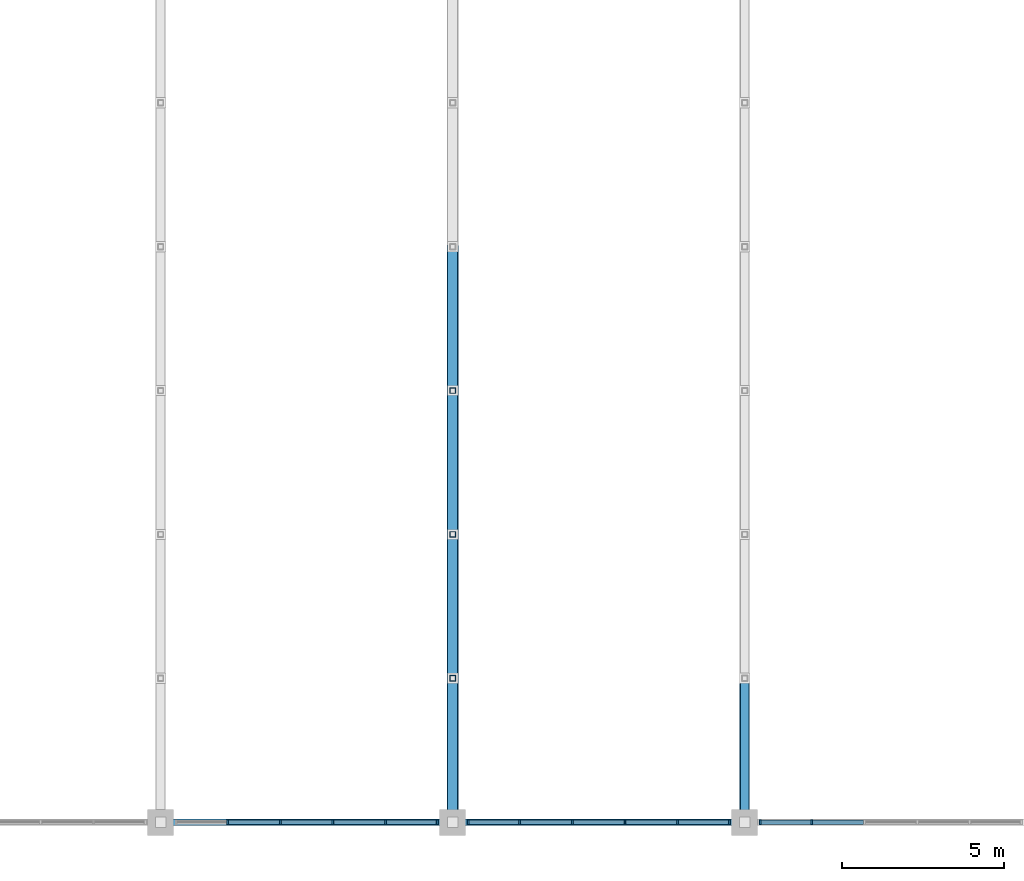
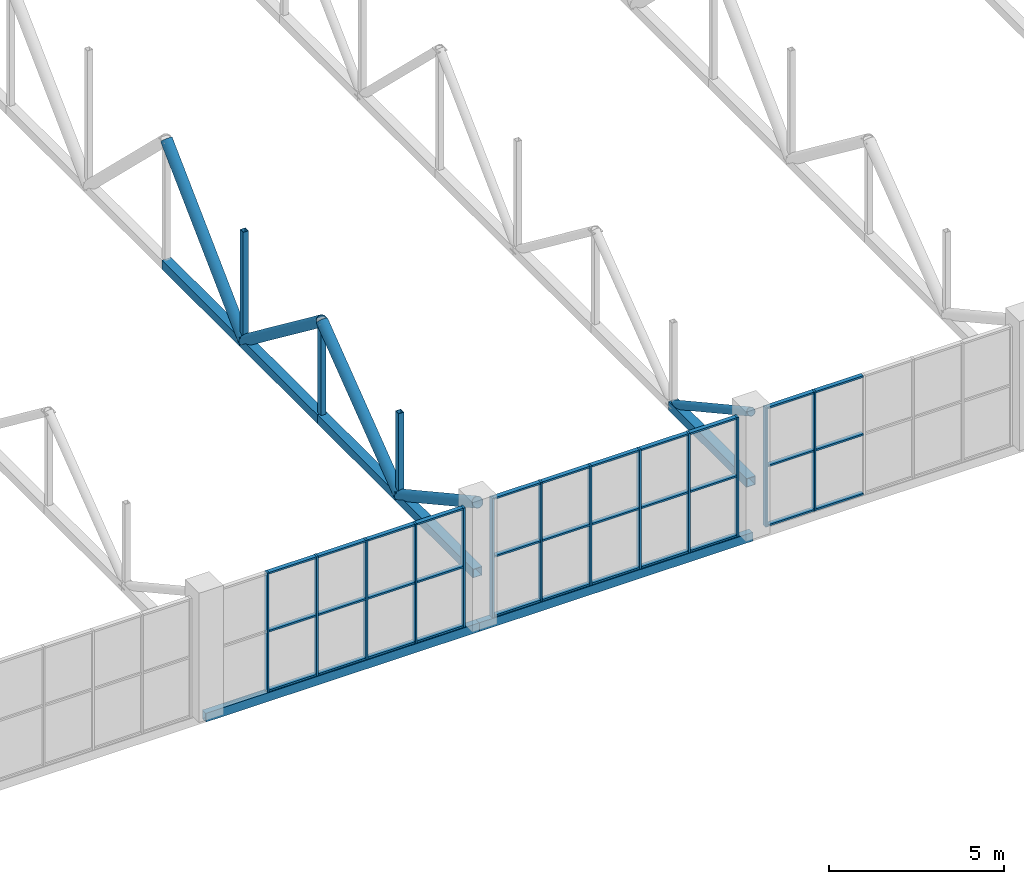
# One storey, part 50 of 103: 59 members, 2 beams, 3 elements without a shape of their own.
"""IFC4 building model written with IfcOpenShell, lengths in metres."""

from ifc_helpers import new_model, si_unit, direction, frame, origin, origin_2d, place, context, subcontext, project, spatial, rectangle, hollow_rectangle, hollow_circle, extrude, material, layer, layer_set, material_profile, profile_set, type_object, element, aggregate, save


model = new_model("IFC4")

# Units and contexts
model_context = context("Model", 3, precision=1e-05, world=origin(), true_north=direction((0.0, 1.0)))
body_context = subcontext(model_context, "Body", "Model", "MODEL_VIEW")
ifc_project = project(units=[si_unit("LENGTHUNIT", "METRE"), si_unit("AREAUNIT", "SQUARE_METRE"), si_unit("VOLUMEUNIT", "CUBIC_METRE"), si_unit("PLANEANGLEUNIT", "RADIAN"), si_unit("MASSUNIT", "GRAM", prefix="KILO")], contexts=[model_context])

# Site, building, storey
site_placement = place(None, origin())
site = spatial("IfcSite", under=ifc_project, at=site_placement, CompositionType="ELEMENT")
building_placement = place(site_placement, origin())
building = spatial("IfcBuilding", under=site, at=building_placement, Name="Cazmaro Siding Exhibition Halls", CompositionType="ELEMENT")
storey_placement = place(building_placement, frame((0.0, 0.0, 16.5)))
storey = spatial("IfcBuildingStorey", under=building, at=storey_placement, Name="L03", CompositionType="ELEMENT", Elevation=16.5)

# Curtain wall, members
ifc_material_1 = material(Name="Anodized Bronze Aluminum and Solar-Control Low-E Glazing", Category="aluminium")
ifc_layer = layer(ifc_material_1, 0.159912109375)
ifc_layer_set = layer_set([ifc_layer], Name="Anodized Bronze Aluminum and Solar-Control Low-E Glazing")
curtain_wall_type = type_object("IfcCurtainWallType", Name="CWS-04", PredefinedType="USERDEFINED", material=ifc_layer_set)
curtain_wall_1_placement = place(storey_placement, origin())
curtain_wall_1 = element("IfcCurtainWall", 1, at=curtain_wall_1_placement, inside=storey, type_object=curtain_wall_type, Name="Clerestory Curtain Wall CWS-04 CW-092", ObjectType="CLERESTORY CURTAIN WALL", PredefinedType="USERDEFINED")
ifc_material_2 = material(Name="Anodized Bronze Extruded Aluminum", Category="aluminium")
ifc_material_profile_1 = material_profile(ifc_material_2, rectangle(XDim=0.159912109375, YDim=0.06005859375, at=origin_2d()), Name="CWM-04")
ifc_profile_set_1 = profile_set([ifc_material_profile_1], Name="Anodized Bronze Extruded Aluminum")
member_type_1 = type_object("IfcMemberType", Name="CWM-04", PredefinedType="MULLION", material=ifc_profile_set_1)
member_1_placement = place(storey_placement, frame((128.06689453125, 9.25, 0.0), z_axis=(0.0, 0.0, 1.0), x_axis=(0.0, 1.0, 0.0)))
member_1 = element("IfcMember", 2, at=member_1_placement, type_object=member_type_1, Name="CWS-04 mullion 2", PredefinedType="MULLION", context=body_context, shape_type="SweptSolid", body=[
    extrude(rectangle(XDim=0.159912109375, YDim=0.06005859375, at=origin_2d()), origin(), (0.0, 0.0, 1.0), 4.14990234375),
])
member_2_placement = place(storey_placement, frame((129.68896484375, 9.25, 0.0), z_axis=(0.0, 0.0, 1.0), x_axis=(0.0, 1.0, 0.0)))
member_2 = element("IfcMember", 3, at=member_2_placement, type_object=member_type_1, Name="CWS-04 mullion 3", PredefinedType="MULLION", context=body_context, shape_type="SweptSolid", body=[
    extrude(rectangle(XDim=0.159912109375, YDim=0.06005859375, at=origin_2d()), origin(), (0.0, 0.0, 1.0), 4.14990234375),
])
member_3_placement = place(storey_placement, frame((131.31103515625, 9.25, 0.0), z_axis=(0.0, 0.0, 1.0), x_axis=(0.0, 1.0, 0.0)))
member_3 = element("IfcMember", 4, at=member_3_placement, type_object=member_type_1, Name="CWS-04 mullion 4", PredefinedType="MULLION", context=body_context, shape_type="SweptSolid", body=[
    extrude(rectangle(XDim=0.159912109375, YDim=0.06005859375, at=origin_2d()), origin(), (0.0, 0.0, 1.0), 4.14990234375),
])
member_4_placement = place(storey_placement, frame((132.93310546875, 9.25, 0.0), z_axis=(0.0, 0.0, 1.0), x_axis=(0.0, 1.0, 0.0)))
member_4 = element("IfcMember", 5, at=member_4_placement, type_object=member_type_1, Name="CWS-04 mullion 5", PredefinedType="MULLION", context=body_context, shape_type="SweptSolid", body=[
    extrude(rectangle(XDim=0.159912109375, YDim=0.06005859375, at=origin_2d()), origin(), (0.0, 0.0, 1.0), 4.14990234375),
])
member_5_placement = place(storey_placement, frame((134.52490234375, 9.25, 0.0), z_axis=(0.0, 0.0, 1.0), x_axis=(0.0, 1.0, 0.0)))
member_5 = element("IfcMember", 6, at=member_5_placement, type_object=member_type_1, Name="CWS-04 mullion 6", PredefinedType="MULLION", context=body_context, shape_type="SweptSolid", body=[
    extrude(rectangle(XDim=0.159912109375, YDim=0.06005859375, at=origin_2d()), origin(), (0.0, 0.0, 1.0), 4.14990234375),
])

curtain_wall_2_placement = place(storey_placement, origin())
curtain_wall_2 = element("IfcCurtainWall", 7, at=curtain_wall_2_placement, inside=storey, type_object=curtain_wall_type, Name="Clerestory Curtain Wall CWS-04 CW-094", ObjectType="CLERESTORY CURTAIN WALL", PredefinedType="USERDEFINED")
member_6_placement = place(storey_placement, frame((135.47509765625, 9.25, 0.0), z_axis=(0.0, 0.0, 1.0), x_axis=(0.0, 1.0, 0.0)))
member_6 = element("IfcMember", 8, at=member_6_placement, type_object=member_type_1, Name="CWS-04 mullion 1", PredefinedType="MULLION", context=body_context, shape_type="SweptSolid", body=[
    extrude(rectangle(XDim=0.159912109375, YDim=0.06005859375, at=origin_2d()), origin(), (0.0, 0.0, 1.0), 4.14990234375),
])
member_7_placement = place(storey_placement, frame((137.06689453125, 9.25, 0.0), z_axis=(0.0, 0.0, 1.0), x_axis=(0.0, 1.0, 0.0)))
member_7 = element("IfcMember", 9, at=member_7_placement, type_object=member_type_1, Name="CWS-04 mullion 2", PredefinedType="MULLION", context=body_context, shape_type="SweptSolid", body=[
    extrude(rectangle(XDim=0.159912109375, YDim=0.06005859375, at=origin_2d()), origin(), (0.0, 0.0, 1.0), 4.14990234375),
])
member_8_placement = place(storey_placement, frame((138.68896484375, 9.25, 0.0), z_axis=(0.0, 0.0, 1.0), x_axis=(0.0, 1.0, 0.0)))
member_8 = element("IfcMember", 10, at=member_8_placement, type_object=member_type_1, Name="CWS-04 mullion 3", PredefinedType="MULLION", context=body_context, shape_type="SweptSolid", body=[
    extrude(rectangle(XDim=0.159912109375, YDim=0.06005859375, at=origin_2d()), origin(), (0.0, 0.0, 1.0), 4.14990234375),
])
member_9_placement = place(storey_placement, frame((140.31103515625, 9.25, 0.0), z_axis=(0.0, 0.0, 1.0), x_axis=(0.0, 1.0, 0.0)))
member_9 = element("IfcMember", 11, at=member_9_placement, type_object=member_type_1, Name="CWS-04 mullion 4", PredefinedType="MULLION", context=body_context, shape_type="SweptSolid", body=[
    extrude(rectangle(XDim=0.159912109375, YDim=0.06005859375, at=origin_2d()), origin(), (0.0, 0.0, 1.0), 4.14990234375),
])
member_10_placement = place(storey_placement, frame((141.93310546875, 9.25, 0.0), z_axis=(0.0, 0.0, 1.0), x_axis=(0.0, 1.0, 0.0)))
member_10 = element("IfcMember", 12, at=member_10_placement, type_object=member_type_1, Name="CWS-04 mullion 5", PredefinedType="MULLION", context=body_context, shape_type="SweptSolid", body=[
    extrude(rectangle(XDim=0.159912109375, YDim=0.06005859375, at=origin_2d()), origin(), (0.0, 0.0, 1.0), 4.14990234375),
])
member_11_placement = place(storey_placement, frame((143.52490234375, 9.25, 0.0), z_axis=(0.0, 0.0, 1.0), x_axis=(0.0, 1.0, 0.0)))
member_11 = element("IfcMember", 13, at=member_11_placement, type_object=member_type_1, Name="CWS-04 mullion 6", PredefinedType="MULLION", context=body_context, shape_type="SweptSolid", body=[
    extrude(rectangle(XDim=0.159912109375, YDim=0.06005859375, at=origin_2d()), origin(), (0.0, 0.0, 1.0), 4.14990234375),
])

curtain_wall_3_placement = place(storey_placement, origin())
curtain_wall_3 = element("IfcCurtainWall", 14, at=curtain_wall_3_placement, inside=storey, type_object=curtain_wall_type, Name="Clerestory Curtain Wall CWS-04 CW-096", ObjectType="CLERESTORY CURTAIN WALL", PredefinedType="USERDEFINED")
member_12_placement = place(storey_placement, frame((144.47509765625, 9.25, 0.0), z_axis=(0.0, 0.0, 1.0), x_axis=(0.0, 1.0, 0.0)))
member_12 = element("IfcMember", 15, at=member_12_placement, type_object=member_type_1, Name="CWS-04 mullion 1", PredefinedType="MULLION", context=body_context, shape_type="SweptSolid", body=[
    extrude(rectangle(XDim=0.159912109375, YDim=0.06005859375, at=origin_2d()), origin(), (0.0, 0.0, 1.0), 4.14990234375),
])
member_13_placement = place(storey_placement, frame((146.06689453125, 9.25, 0.0), z_axis=(0.0, 0.0, 1.0), x_axis=(0.0, 1.0, 0.0)))
member_13 = element("IfcMember", 16, at=member_13_placement, type_object=member_type_1, Name="CWS-04 mullion 2", PredefinedType="MULLION", context=body_context, shape_type="SweptSolid", body=[
    extrude(rectangle(XDim=0.159912109375, YDim=0.06005859375, at=origin_2d()), origin(), (0.0, 0.0, 1.0), 4.14990234375),
])

# Member
ifc_material_3 = material(Name="Anodized Bronze Extruded Aluminum", Category="aluminium")
ifc_material_profile_2 = material_profile(ifc_material_3, rectangle(XDim=0.139892578125, YDim=0.06005859375, at=origin_2d()), Name="CWT-04")
ifc_profile_set_2 = profile_set([ifc_material_profile_2], Name="Anodized Bronze Extruded Aluminum")
member_type_2 = type_object("IfcMemberType", Name="CWT-04", PredefinedType="MULLION", material=ifc_profile_set_2)
member_14_placement = place(storey_placement, frame((128.096923828125, 9.25, 0.030029296875), z_axis=(1.0, 0.0, 0.0), x_axis=(0.0, 1.0, 0.0)))
member_14 = element("IfcMember", 17, at=member_14_placement, type_object=member_type_2, Name="CWS-04 transom 2.1", ObjectType="TRANSOM", PredefinedType="USERDEFINED", context=body_context, shape_type="SweptSolid", body=[
    extrude(rectangle(XDim=0.139892578125, YDim=0.06005859375, at=origin_2d()), origin(), (0.0, 0.0, 1.0), 1.56201171875),
])

member_15_placement = place(storey_placement, frame((128.096923828125, 9.25, 2.10009765625), z_axis=(1.0, 0.0, 0.0), x_axis=(0.0, 1.0, 0.0)))
member_15 = element("IfcMember", 18, at=member_15_placement, type_object=member_type_2, Name="CWS-04 transom 2.2", ObjectType="TRANSOM", PredefinedType="USERDEFINED", context=body_context, shape_type="SweptSolid", body=[
    extrude(rectangle(XDim=0.139892578125, YDim=0.06005859375, at=origin_2d()), origin(), (0.0, 0.0, 1.0), 1.56201171875),
])

member_16_placement = place(storey_placement, frame((128.096923828125, 9.25, 4.1201171875), z_axis=(1.0, 0.0, 0.0), x_axis=(0.0, 1.0, 0.0)))
member_16 = element("IfcMember", 19, at=member_16_placement, type_object=member_type_2, Name="CWS-04 transom 2.3", ObjectType="TRANSOM", PredefinedType="USERDEFINED", context=body_context, shape_type="SweptSolid", body=[
    extrude(rectangle(XDim=0.139892578125, YDim=0.06005859375, at=origin_2d()), origin(), (0.0, 0.0, 1.0), 1.56201171875),
])

member_17_placement = place(storey_placement, frame((129.718994140625, 9.25, 0.030029296875), z_axis=(1.0, 0.0, 0.0), x_axis=(0.0, 1.0, 0.0)))
member_17 = element("IfcMember", 20, at=member_17_placement, type_object=member_type_2, Name="CWS-04 transom 3.1", ObjectType="TRANSOM", PredefinedType="USERDEFINED", context=body_context, shape_type="SweptSolid", body=[
    extrude(rectangle(XDim=0.139892578125, YDim=0.06005859375, at=origin_2d()), origin(), (0.0, 0.0, 1.0), 1.56201171875),
])

member_18_placement = place(storey_placement, frame((129.718994140625, 9.25, 2.10009765625), z_axis=(1.0, 0.0, 0.0), x_axis=(0.0, 1.0, 0.0)))
member_18 = element("IfcMember", 21, at=member_18_placement, type_object=member_type_2, Name="CWS-04 transom 3.2", ObjectType="TRANSOM", PredefinedType="USERDEFINED", context=body_context, shape_type="SweptSolid", body=[
    extrude(rectangle(XDim=0.139892578125, YDim=0.06005859375, at=origin_2d()), origin(), (0.0, 0.0, 1.0), 1.56201171875),
])

member_19_placement = place(storey_placement, frame((129.718994140625, 9.25, 4.1201171875), z_axis=(1.0, 0.0, 0.0), x_axis=(0.0, 1.0, 0.0)))
member_19 = element("IfcMember", 22, at=member_19_placement, type_object=member_type_2, Name="CWS-04 transom 3.3", ObjectType="TRANSOM", PredefinedType="USERDEFINED", context=body_context, shape_type="SweptSolid", body=[
    extrude(rectangle(XDim=0.139892578125, YDim=0.06005859375, at=origin_2d()), origin(), (0.0, 0.0, 1.0), 1.56201171875),
])

member_20_placement = place(storey_placement, frame((131.341064453125, 9.25, 0.030029296875), z_axis=(1.0, 0.0, 0.0), x_axis=(0.0, 1.0, 0.0)))
member_20 = element("IfcMember", 23, at=member_20_placement, type_object=member_type_2, Name="CWS-04 transom 4.1", ObjectType="TRANSOM", PredefinedType="USERDEFINED", context=body_context, shape_type="SweptSolid", body=[
    extrude(rectangle(XDim=0.139892578125, YDim=0.06005859375, at=origin_2d()), origin(), (0.0, 0.0, 1.0), 1.56201171875),
])

member_21_placement = place(storey_placement, frame((131.341064453125, 9.25, 2.10009765625), z_axis=(1.0, 0.0, 0.0), x_axis=(0.0, 1.0, 0.0)))
member_21 = element("IfcMember", 24, at=member_21_placement, type_object=member_type_2, Name="CWS-04 transom 4.2", ObjectType="TRANSOM", PredefinedType="USERDEFINED", context=body_context, shape_type="SweptSolid", body=[
    extrude(rectangle(XDim=0.139892578125, YDim=0.06005859375, at=origin_2d()), origin(), (0.0, 0.0, 1.0), 1.56201171875),
])

member_22_placement = place(storey_placement, frame((131.341064453125, 9.25, 4.1201171875), z_axis=(1.0, 0.0, 0.0), x_axis=(0.0, 1.0, 0.0)))
member_22 = element("IfcMember", 25, at=member_22_placement, type_object=member_type_2, Name="CWS-04 transom 4.3", ObjectType="TRANSOM", PredefinedType="USERDEFINED", context=body_context, shape_type="SweptSolid", body=[
    extrude(rectangle(XDim=0.139892578125, YDim=0.06005859375, at=origin_2d()), origin(), (0.0, 0.0, 1.0), 1.56201171875),
])

member_23_placement = place(storey_placement, frame((132.962890625, 9.25, 0.030029296875), z_axis=(1.0, 0.0, 0.0), x_axis=(0.0, 1.0, 0.0)))
member_23 = element("IfcMember", 26, at=member_23_placement, type_object=member_type_2, Name="CWS-04 transom 5.1", ObjectType="TRANSOM", PredefinedType="USERDEFINED", context=body_context, shape_type="SweptSolid", body=[
    extrude(rectangle(XDim=0.139892578125, YDim=0.06005859375, at=origin_2d()), origin(), (0.0, 0.0, 1.0), 1.5322265625),
])

member_24_placement = place(storey_placement, frame((132.962890625, 9.25, 2.10009765625), z_axis=(1.0, 0.0, 0.0), x_axis=(0.0, 1.0, 0.0)))
member_24 = element("IfcMember", 27, at=member_24_placement, type_object=member_type_2, Name="CWS-04 transom 5.2", ObjectType="TRANSOM", PredefinedType="USERDEFINED", context=body_context, shape_type="SweptSolid", body=[
    extrude(rectangle(XDim=0.139892578125, YDim=0.06005859375, at=origin_2d()), origin(), (0.0, 0.0, 1.0), 1.5322265625),
])

member_25_placement = place(storey_placement, frame((132.962890625, 9.25, 4.1201171875), z_axis=(1.0, 0.0, 0.0), x_axis=(0.0, 1.0, 0.0)))
member_25 = element("IfcMember", 28, at=member_25_placement, type_object=member_type_2, Name="CWS-04 transom 5.3", ObjectType="TRANSOM", PredefinedType="USERDEFINED", context=body_context, shape_type="SweptSolid", body=[
    extrude(rectangle(XDim=0.139892578125, YDim=0.06005859375, at=origin_2d()), origin(), (0.0, 0.0, 1.0), 1.5322265625),
])

aggregate(curtain_wall_1, [member_1, member_2, member_3, member_4, member_5, member_14, member_15, member_16, member_17, member_18, member_19, member_20, member_21, member_22, member_23, member_24, member_25])

member_26_placement = place(storey_placement, frame((135.5048828125, 9.25, 0.030029296875), z_axis=(1.0, 0.0, 0.0), x_axis=(0.0, 1.0, 0.0)))
member_26 = element("IfcMember", 29, at=member_26_placement, type_object=member_type_2, Name="CWS-04 transom 1.1", ObjectType="TRANSOM", PredefinedType="USERDEFINED", context=body_context, shape_type="SweptSolid", body=[
    extrude(rectangle(XDim=0.139892578125, YDim=0.06005859375, at=origin_2d()), origin(), (0.0, 0.0, 1.0), 1.5322265625),
])

member_27_placement = place(storey_placement, frame((135.5048828125, 9.25, 2.10009765625), z_axis=(1.0, 0.0, 0.0), x_axis=(0.0, 1.0, 0.0)))
member_27 = element("IfcMember", 30, at=member_27_placement, type_object=member_type_2, Name="CWS-04 transom 1.2", ObjectType="TRANSOM", PredefinedType="USERDEFINED", context=body_context, shape_type="SweptSolid", body=[
    extrude(rectangle(XDim=0.139892578125, YDim=0.06005859375, at=origin_2d()), origin(), (0.0, 0.0, 1.0), 1.5322265625),
])

member_28_placement = place(storey_placement, frame((135.5048828125, 9.25, 4.1201171875), z_axis=(1.0, 0.0, 0.0), x_axis=(0.0, 1.0, 0.0)))
member_28 = element("IfcMember", 31, at=member_28_placement, type_object=member_type_2, Name="CWS-04 transom 1.3", ObjectType="TRANSOM", PredefinedType="USERDEFINED", context=body_context, shape_type="SweptSolid", body=[
    extrude(rectangle(XDim=0.139892578125, YDim=0.06005859375, at=origin_2d()), origin(), (0.0, 0.0, 1.0), 1.5322265625),
])

member_29_placement = place(storey_placement, frame((137.096923828125, 9.25, 0.030029296875), z_axis=(1.0, 0.0, 0.0), x_axis=(0.0, 1.0, 0.0)))
member_29 = element("IfcMember", 32, at=member_29_placement, type_object=member_type_2, Name="CWS-04 transom 2.1", ObjectType="TRANSOM", PredefinedType="USERDEFINED", context=body_context, shape_type="SweptSolid", body=[
    extrude(rectangle(XDim=0.139892578125, YDim=0.06005859375, at=origin_2d()), origin(), (0.0, 0.0, 1.0), 1.56201171875),
])

member_30_placement = place(storey_placement, frame((137.096923828125, 9.25, 2.10009765625), z_axis=(1.0, 0.0, 0.0), x_axis=(0.0, 1.0, 0.0)))
member_30 = element("IfcMember", 33, at=member_30_placement, type_object=member_type_2, Name="CWS-04 transom 2.2", ObjectType="TRANSOM", PredefinedType="USERDEFINED", context=body_context, shape_type="SweptSolid", body=[
    extrude(rectangle(XDim=0.139892578125, YDim=0.06005859375, at=origin_2d()), origin(), (0.0, 0.0, 1.0), 1.56201171875),
])

member_31_placement = place(storey_placement, frame((137.096923828125, 9.25, 4.1201171875), z_axis=(1.0, 0.0, 0.0), x_axis=(0.0, 1.0, 0.0)))
member_31 = element("IfcMember", 34, at=member_31_placement, type_object=member_type_2, Name="CWS-04 transom 2.3", ObjectType="TRANSOM", PredefinedType="USERDEFINED", context=body_context, shape_type="SweptSolid", body=[
    extrude(rectangle(XDim=0.139892578125, YDim=0.06005859375, at=origin_2d()), origin(), (0.0, 0.0, 1.0), 1.56201171875),
])

member_32_placement = place(storey_placement, frame((138.718994140625, 9.25, 0.030029296875), z_axis=(1.0, 0.0, 0.0), x_axis=(0.0, 1.0, 0.0)))
member_32 = element("IfcMember", 35, at=member_32_placement, type_object=member_type_2, Name="CWS-04 transom 3.1", ObjectType="TRANSOM", PredefinedType="USERDEFINED", context=body_context, shape_type="SweptSolid", body=[
    extrude(rectangle(XDim=0.139892578125, YDim=0.06005859375, at=origin_2d()), origin(), (0.0, 0.0, 1.0), 1.56201171875),
])

member_33_placement = place(storey_placement, frame((138.718994140625, 9.25, 2.10009765625), z_axis=(1.0, 0.0, 0.0), x_axis=(0.0, 1.0, 0.0)))
member_33 = element("IfcMember", 36, at=member_33_placement, type_object=member_type_2, Name="CWS-04 transom 3.2", ObjectType="TRANSOM", PredefinedType="USERDEFINED", context=body_context, shape_type="SweptSolid", body=[
    extrude(rectangle(XDim=0.139892578125, YDim=0.06005859375, at=origin_2d()), origin(), (0.0, 0.0, 1.0), 1.56201171875),
])

member_34_placement = place(storey_placement, frame((138.718994140625, 9.25, 4.1201171875), z_axis=(1.0, 0.0, 0.0), x_axis=(0.0, 1.0, 0.0)))
member_34 = element("IfcMember", 37, at=member_34_placement, type_object=member_type_2, Name="CWS-04 transom 3.3", ObjectType="TRANSOM", PredefinedType="USERDEFINED", context=body_context, shape_type="SweptSolid", body=[
    extrude(rectangle(XDim=0.139892578125, YDim=0.06005859375, at=origin_2d()), origin(), (0.0, 0.0, 1.0), 1.56201171875),
])

member_35_placement = place(storey_placement, frame((140.341064453125, 9.25, 0.030029296875), z_axis=(1.0, 0.0, 0.0), x_axis=(0.0, 1.0, 0.0)))
member_35 = element("IfcMember", 38, at=member_35_placement, type_object=member_type_2, Name="CWS-04 transom 4.1", ObjectType="TRANSOM", PredefinedType="USERDEFINED", context=body_context, shape_type="SweptSolid", body=[
    extrude(rectangle(XDim=0.139892578125, YDim=0.06005859375, at=origin_2d()), origin(), (0.0, 0.0, 1.0), 1.56201171875),
])

member_36_placement = place(storey_placement, frame((140.341064453125, 9.25, 2.10009765625), z_axis=(1.0, 0.0, 0.0), x_axis=(0.0, 1.0, 0.0)))
member_36 = element("IfcMember", 39, at=member_36_placement, type_object=member_type_2, Name="CWS-04 transom 4.2", ObjectType="TRANSOM", PredefinedType="USERDEFINED", context=body_context, shape_type="SweptSolid", body=[
    extrude(rectangle(XDim=0.139892578125, YDim=0.06005859375, at=origin_2d()), origin(), (0.0, 0.0, 1.0), 1.56201171875),
])

member_37_placement = place(storey_placement, frame((140.341064453125, 9.25, 4.1201171875), z_axis=(1.0, 0.0, 0.0), x_axis=(0.0, 1.0, 0.0)))
member_37 = element("IfcMember", 40, at=member_37_placement, type_object=member_type_2, Name="CWS-04 transom 4.3", ObjectType="TRANSOM", PredefinedType="USERDEFINED", context=body_context, shape_type="SweptSolid", body=[
    extrude(rectangle(XDim=0.139892578125, YDim=0.06005859375, at=origin_2d()), origin(), (0.0, 0.0, 1.0), 1.56201171875),
])

member_38_placement = place(storey_placement, frame((141.962890625, 9.25, 0.030029296875), z_axis=(1.0, 0.0, 0.0), x_axis=(0.0, 1.0, 0.0)))
member_38 = element("IfcMember", 41, at=member_38_placement, type_object=member_type_2, Name="CWS-04 transom 5.1", ObjectType="TRANSOM", PredefinedType="USERDEFINED", context=body_context, shape_type="SweptSolid", body=[
    extrude(rectangle(XDim=0.139892578125, YDim=0.06005859375, at=origin_2d()), origin(), (0.0, 0.0, 1.0), 1.5322265625),
])

member_39_placement = place(storey_placement, frame((141.962890625, 9.25, 2.10009765625), z_axis=(1.0, 0.0, 0.0), x_axis=(0.0, 1.0, 0.0)))
member_39 = element("IfcMember", 42, at=member_39_placement, type_object=member_type_2, Name="CWS-04 transom 5.2", ObjectType="TRANSOM", PredefinedType="USERDEFINED", context=body_context, shape_type="SweptSolid", body=[
    extrude(rectangle(XDim=0.139892578125, YDim=0.06005859375, at=origin_2d()), origin(), (0.0, 0.0, 1.0), 1.5322265625),
])

member_40_placement = place(storey_placement, frame((141.962890625, 9.25, 4.1201171875), z_axis=(1.0, 0.0, 0.0), x_axis=(0.0, 1.0, 0.0)))
member_40 = element("IfcMember", 43, at=member_40_placement, type_object=member_type_2, Name="CWS-04 transom 5.3", ObjectType="TRANSOM", PredefinedType="USERDEFINED", context=body_context, shape_type="SweptSolid", body=[
    extrude(rectangle(XDim=0.139892578125, YDim=0.06005859375, at=origin_2d()), origin(), (0.0, 0.0, 1.0), 1.5322265625),
])

aggregate(curtain_wall_2, [member_6, member_7, member_8, member_9, member_10, member_11, member_26, member_27, member_28, member_29, member_30, member_31, member_32, member_33, member_34, member_35, member_36, member_37, member_38, member_39, member_40])

member_41_placement = place(storey_placement, frame((144.5048828125, 9.25, 0.030029296875), z_axis=(1.0, 0.0, 0.0), x_axis=(0.0, 1.0, 0.0)))
member_41 = element("IfcMember", 44, at=member_41_placement, type_object=member_type_2, Name="CWS-04 transom 1.1", ObjectType="TRANSOM", PredefinedType="USERDEFINED", context=body_context, shape_type="SweptSolid", body=[
    extrude(rectangle(XDim=0.139892578125, YDim=0.06005859375, at=origin_2d()), origin(), (0.0, 0.0, 1.0), 1.5322265625),
])

member_42_placement = place(storey_placement, frame((144.5048828125, 9.25, 2.10009765625), z_axis=(1.0, 0.0, 0.0), x_axis=(0.0, 1.0, 0.0)))
member_42 = element("IfcMember", 45, at=member_42_placement, type_object=member_type_2, Name="CWS-04 transom 1.2", ObjectType="TRANSOM", PredefinedType="USERDEFINED", context=body_context, shape_type="SweptSolid", body=[
    extrude(rectangle(XDim=0.139892578125, YDim=0.06005859375, at=origin_2d()), origin(), (0.0, 0.0, 1.0), 1.5322265625),
])

member_43_placement = place(storey_placement, frame((144.5048828125, 9.25, 4.1201171875), z_axis=(1.0, 0.0, 0.0), x_axis=(0.0, 1.0, 0.0)))
member_43 = element("IfcMember", 46, at=member_43_placement, type_object=member_type_2, Name="CWS-04 transom 1.3", ObjectType="TRANSOM", PredefinedType="USERDEFINED", context=body_context, shape_type="SweptSolid", body=[
    extrude(rectangle(XDim=0.139892578125, YDim=0.06005859375, at=origin_2d()), origin(), (0.0, 0.0, 1.0), 1.5322265625),
])

member_44_placement = place(storey_placement, frame((146.096923828125, 9.25, 0.030029296875), z_axis=(1.0, 0.0, 0.0), x_axis=(0.0, 1.0, 0.0)))
member_44 = element("IfcMember", 47, at=member_44_placement, type_object=member_type_2, Name="CWS-04 transom 2.1", ObjectType="TRANSOM", PredefinedType="USERDEFINED", context=body_context, shape_type="SweptSolid", body=[
    extrude(rectangle(XDim=0.139892578125, YDim=0.06005859375, at=origin_2d()), origin(), (0.0, 0.0, 1.0), 1.56201171875),
])

member_45_placement = place(storey_placement, frame((146.096923828125, 9.25, 2.10009765625), z_axis=(1.0, 0.0, 0.0), x_axis=(0.0, 1.0, 0.0)))
member_45 = element("IfcMember", 48, at=member_45_placement, type_object=member_type_2, Name="CWS-04 transom 2.2", ObjectType="TRANSOM", PredefinedType="USERDEFINED", context=body_context, shape_type="SweptSolid", body=[
    extrude(rectangle(XDim=0.139892578125, YDim=0.06005859375, at=origin_2d()), origin(), (0.0, 0.0, 1.0), 1.56201171875),
])

member_46_placement = place(storey_placement, frame((146.096923828125, 9.25, 4.1201171875), z_axis=(1.0, 0.0, 0.0), x_axis=(0.0, 1.0, 0.0)))
member_46 = element("IfcMember", 49, at=member_46_placement, type_object=member_type_2, Name="CWS-04 transom 2.3", ObjectType="TRANSOM", PredefinedType="USERDEFINED", context=body_context, shape_type="SweptSolid", body=[
    extrude(rectangle(XDim=0.139892578125, YDim=0.06005859375, at=origin_2d()), origin(), (0.0, 0.0, 1.0), 1.56201171875),
])

aggregate(curtain_wall_3, [member_12, member_13, member_41, member_42, member_43, member_44, member_45, member_46])

# Beams
ifc_material_4 = material(Name="Steel ASTM A500 Grade C", Category="steel")
ifc_material_profile_3 = material_profile(ifc_material_4, hollow_rectangle(XDim=0.202880859375, YDim=0.304931640625, WallThickness=0.011962890625, at=origin_2d()), Name="HSS12X8X1/2")
ifc_profile_set_3 = profile_set([ifc_material_profile_3], Name="Steel ASTM A500 Grade C")
beam_type = type_object("IfcBeamType", Name="SP-01", PredefinedType="SPANDREL", material=ifc_profile_set_3)
for number, where, z_axis, x_axis, name in (
    (50, (126.0, 9.25, -0.152099609375), (1.0, 0.0, 0.0), (0.0, 1.0, 0.0), "Beam SP-01 BM-1507"),
    (51, (135.0, 9.25, -0.152099609375), (1.0, 0.0, 0.0), (0.0, 1.0, 0.0), "Beam SP-01 BM-1511"),
):
    element("IfcBeam", number, at=place(storey_placement, frame(where, z_axis=z_axis, x_axis=x_axis)), inside=storey, type_object=beam_type, Name=name, PredefinedType="SPANDREL", context=body_context, shape_type="SweptSolid", body=[
        extrude(hollow_rectangle(XDim=0.202880859375, YDim=0.304931640625, WallThickness=0.011962890625, at=origin_2d()), origin(), (0.0, 0.0, 1.0), 9.0),
    ])

# Members
ifc_material_5 = material(Name="Steel ASTM A500 Grade C", Category="steel")
ifc_material_profile_4 = material_profile(ifc_material_5, hollow_rectangle(XDim=0.304931640625, YDim=0.304931640625, WallThickness=0.014892578125, at=origin_2d()), Name="HSS12X12X5/8")
ifc_profile_set_4 = profile_set([ifc_material_profile_4], Name="Steel ASTM A500 Grade C")
member_type_3 = type_object("IfcMemberType", Name="TC-02", PredefinedType="CHORD", material=ifc_profile_set_4)
for number, where, z_axis, x_axis, name in (
    (52, (135.0, 9.25, 1.699951171875), (0.0, 1.0, 0.0), (-1.0, 0.0, 0.0), "Warren roof truss bottom chord TC-02 MEM-2576"),
    (53, (135.0, 13.68505859375, 1.699951171875), (0.0, 1.0, 0.0), (-1.0, 0.0, 0.0), "Warren roof truss bottom chord TC-02 MEM-2579"),
):
    element("IfcMember", number, at=place(storey_placement, frame(where, z_axis=z_axis, x_axis=x_axis)), inside=storey, type_object=member_type_3, Name=name, PredefinedType="CHORD", context=body_context, shape_type="SweptSolid", body=[
        extrude(hollow_rectangle(XDim=0.304931640625, YDim=0.304931640625, WallThickness=0.014892578125, at=origin_2d()), origin(), (0.0, 0.0, 1.0), 4.43505859375),
    ])
member_47_placement = place(storey_placement, frame((135.0, 18.1201171875, 1.699951171875), z_axis=(0.0, 1.0, 0.0), x_axis=(-1.0, 0.0, 0.0)))
element("IfcMember", 54, at=member_47_placement, inside=storey, type_object=member_type_3, Name="Warren roof truss bottom chord TC-02 MEM-2582", PredefinedType="CHORD", context=body_context, shape_type="SweptSolid", body=[
    extrude(hollow_rectangle(XDim=0.304931640625, YDim=0.304931640625, WallThickness=0.014892578125, at=origin_2d()), origin(), (0.0, 0.0, 1.0), 4.434814453125),
])
for number, where, z_axis, x_axis, name in (
    (55, (135.0, 22.554931640625, 1.699951171875), (0.0, 1.0, 0.0), (-1.0, 0.0, 0.0), "Warren roof truss bottom chord TC-02 MEM-2585"),
    (56, (144.0, 9.25, 1.699951171875), (0.0, 1.0, 0.0), (-1.0, 0.0, 0.0), "Warren roof truss bottom chord TC-02 MEM-2615"),
):
    element("IfcMember", number, at=place(storey_placement, frame(where, z_axis=z_axis, x_axis=x_axis)), inside=storey, type_object=member_type_3, Name=name, PredefinedType="CHORD", context=body_context, shape_type="SweptSolid", body=[
        extrude(hollow_rectangle(XDim=0.304931640625, YDim=0.304931640625, WallThickness=0.014892578125, at=origin_2d()), origin(), (0.0, 0.0, 1.0), 4.43505859375),
    ])
ifc_material_6 = material(Name="Steel ASTM A500 Grade C", Category="steel")
ifc_material_profile_5 = material_profile(ifc_material_6, hollow_rectangle(XDim=0.177978515625, YDim=0.177978515625, WallThickness=0.011962890625, at=origin_2d()), Name="HSS7X7X1/2")
ifc_profile_set_5 = profile_set([ifc_material_profile_5], Name="Steel ASTM A500 Grade C")
member_type_4 = type_object("IfcMemberType", Name="TP-02", PredefinedType="POST", material=ifc_profile_set_5)
member_48_placement = place(storey_placement, frame((135.0, 13.68505859375, 1.699951171875), z_axis=(0.0, 0.0, 1.0), x_axis=(1.0, 0.0, 0.0)))
element("IfcMember", 57, at=member_48_placement, inside=storey, type_object=member_type_4, Name="Warren roof truss vertical TP-02 MEM-2605", PredefinedType="POST", context=body_context, shape_type="SweptSolid", body=[
    extrude(hollow_rectangle(XDim=0.177978515625, YDim=0.177978515625, WallThickness=0.011962890625, at=origin_2d()), origin(), (0.0, 0.0, 1.0), 2.906005859375),
])
member_49_placement = place(storey_placement, frame((135.0, 18.1201171875, 1.699951171875), z_axis=(0.0, 0.0, 1.0), x_axis=(1.0, 0.0, 0.0)))
element("IfcMember", 58, at=member_49_placement, inside=storey, type_object=member_type_4, Name="Warren roof truss vertical TP-02 MEM-2606", PredefinedType="POST", context=body_context, shape_type="SweptSolid", body=[
    extrude(hollow_rectangle(XDim=0.177978515625, YDim=0.177978515625, WallThickness=0.011962890625, at=origin_2d()), origin(), (0.0, 0.0, 1.0), 3.373046875),
])
member_50_placement = place(storey_placement, frame((135.0, 22.554931640625, 1.699951171875), z_axis=(0.0, 0.0, 1.0), x_axis=(1.0, 0.0, 0.0)))
element("IfcMember", 59, at=member_50_placement, inside=storey, type_object=member_type_4, Name="Warren roof truss vertical TP-02 MEM-2607", PredefinedType="POST", context=body_context, shape_type="SweptSolid", body=[
    extrude(hollow_rectangle(XDim=0.177978515625, YDim=0.177978515625, WallThickness=0.011962890625, at=origin_2d()), origin(), (0.0, 0.0, 1.0), 3.839111328125),
])
ifc_material_7 = material(Name="Steel ASTM A500 Grade C", Category="steel")
ifc_material_profile_6 = material_profile(ifc_material_7, hollow_circle(Radius=0.136474609375, WallThickness=0.012939453125, at=origin_2d()), Name="PIPE10XS")
ifc_profile_set_6 = profile_set([ifc_material_profile_6], Name="Steel ASTM A500 Grade C")
member_type_5 = type_object("IfcMemberType", Name="WB-02", PredefinedType="BRACE", material=ifc_profile_set_6)
member_51_placement = place(storey_placement, frame((144.0, 9.25, 4.139892578125), z_axis=(0.0, 0.876160914294, -0.482018726051), x_axis=(-1.0, 0.0, 0.0)))
element("IfcMember", 60, at=member_51_placement, inside=storey, type_object=member_type_5, Name="Warren roof truss diagonal WB-02 MEM-2616", PredefinedType="BRACE", context=body_context, shape_type="SweptSolid", body=[
    extrude(hollow_circle(Radius=0.136474609375, WallThickness=0.012939453125, at=origin_2d()), origin(), (0.0, 0.0, 1.0), 5.06201171875),
])
ifc_material_8 = material(Name="Steel ASTM A500 Grade C", Category="steel")
ifc_material_profile_7 = material_profile(ifc_material_8, hollow_circle(Radius=0.177978515625, WallThickness=0.012939453125, at=origin_2d()), Name="PIPE14XS")
ifc_profile_set_7 = profile_set([ifc_material_profile_7], Name="Steel ASTM A500 Grade C")
member_type_6 = type_object("IfcMemberType", Name="WB-06", PredefinedType="BRACE", material=ifc_profile_set_7)
member_52_placement = place(storey_placement, frame((135.0, 9.25, 4.139892578125), z_axis=(0.0, 0.876160914294, -0.482018726051), x_axis=(-1.0, 0.0, 0.0)))
element("IfcMember", 61, at=member_52_placement, inside=storey, type_object=member_type_6, Name="Warren roof truss diagonal WB-06 MEM-2577", PredefinedType="BRACE", context=body_context, shape_type="SweptSolid", body=[
    extrude(hollow_circle(Radius=0.177978515625, WallThickness=0.012939453125, at=origin_2d()), origin(), (0.0, 0.0, 1.0), 5.06201171875),
])
member_53_placement = place(storey_placement, frame((135.0, 13.68505859375, 1.699951171875), z_axis=(0.0, 0.795954445209, 0.605356524002), x_axis=(-1.0, 0.0, 0.0)))
element("IfcMember", 62, at=member_53_placement, inside=storey, type_object=member_type_6, Name="Warren roof truss diagonal WB-06 MEM-2580", PredefinedType="BRACE", context=body_context, shape_type="SweptSolid", body=[
    extrude(hollow_circle(Radius=0.177978515625, WallThickness=0.012939453125, at=origin_2d()), origin(), (0.0, 0.0, 1.0), 5.572021484375),
])
member_54_placement = place(storey_placement, frame((135.0, 18.1201171875, 5.072998046875), z_axis=(0.0, 0.795938387852, -0.605377636475), x_axis=(-1.0, 0.0, 0.0)))
element("IfcMember", 63, at=member_54_placement, inside=storey, type_object=member_type_6, Name="Warren roof truss diagonal WB-06 MEM-2583", PredefinedType="BRACE", context=body_context, shape_type="SweptSolid", body=[
    extrude(hollow_circle(Radius=0.177978515625, WallThickness=0.012939453125, at=origin_2d()), origin(), (0.0, 0.0, 1.0), 5.57177734375),
])
member_55_placement = place(storey_placement, frame((135.0, 22.554931640625, 1.699951171875), z_axis=(0.0, 0.717555143773, 0.696501698236), x_axis=(-1.0, 0.0, 0.0)))
element("IfcMember", 64, at=member_55_placement, inside=storey, type_object=member_type_6, Name="Warren roof truss diagonal WB-06 MEM-2586", PredefinedType="BRACE", context=body_context, shape_type="SweptSolid", body=[
    extrude(hollow_circle(Radius=0.177978515625, WallThickness=0.012939453125, at=origin_2d()), origin(), (0.0, 0.0, 1.0), 6.180908203125),
])

save(model, "model.ifc")
